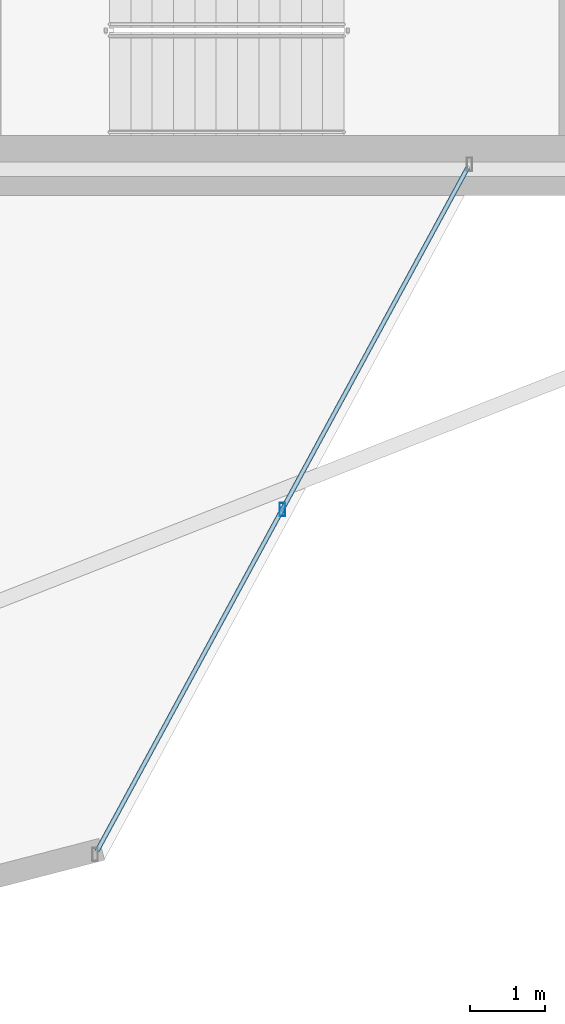
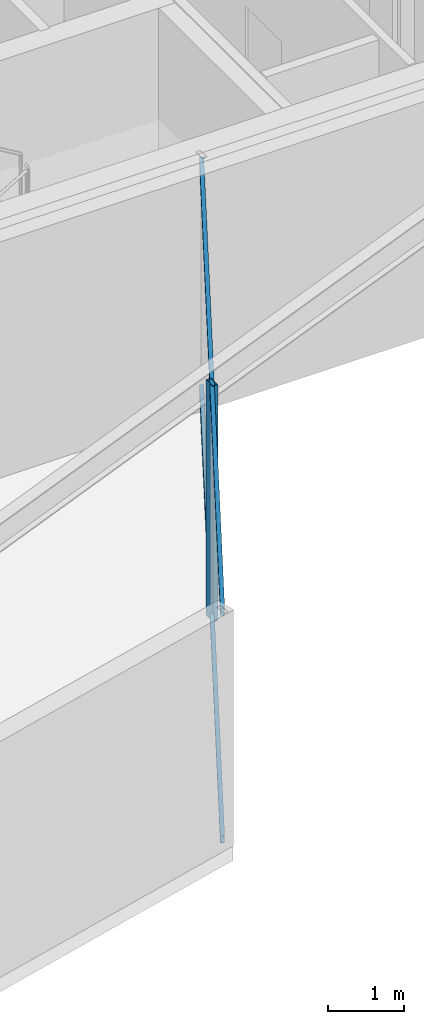
# One storey, part 13 of 26: 3 members, 1 element without a shape of its own.
"""IFC4 building model written with IfcOpenShell, lengths in metres."""

from ifc_helpers import new_model, si_unit, direction, frame, origin, origin_2d, place, context, subcontext, project, spatial, hollow_rectangle, extrude, material, layer, layer_set, material_profile, profile_set, type_object, element, aggregate, save


model = new_model("IFC4")

# Units and contexts
model_context = context("Model", 3, precision=1e-05, world=origin(), true_north=direction((0.0, 1.0)))
body_context = subcontext(model_context, "Body", "Model", "MODEL_VIEW")
ifc_project = project(units=[si_unit("LENGTHUNIT", "METRE"), si_unit("AREAUNIT", "SQUARE_METRE"), si_unit("VOLUMEUNIT", "CUBIC_METRE"), si_unit("PLANEANGLEUNIT", "RADIAN"), si_unit("MASSUNIT", "GRAM", prefix="KILO")], contexts=[model_context])

# Site, building, storey
site_placement = place(None, origin())
site = spatial("IfcSite", under=ifc_project, at=site_placement, CompositionType="ELEMENT")
building_placement = place(site_placement, origin())
building = spatial("IfcBuilding", under=site, at=building_placement, Name="Veymaron Broadcast Tower", CompositionType="ELEMENT")
storey_placement = place(building_placement, frame((0.0, 0.0, 157.35009765625)))
storey = spatial("IfcBuildingStorey", under=building, at=storey_placement, Name="L36", CompositionType="ELEMENT", Elevation=157.35009765625)

# Curtain wall, members
ifc_material_1 = material(Name="Anodised aluminium AA 6063-T6 and laminated low-E dark glass", Category="aluminium")
ifc_layer = layer(ifc_material_1, 0.179931640625)
ifc_layer_set = layer_set([ifc_layer], Name="Anodised aluminium AA 6063-T6 and laminated low-E dark glass")
curtain_wall_type = type_object("IfcCurtainWallType", Name="CW-SYS-03", PredefinedType="NOTDEFINED", material=ifc_layer_set)
curtain_wall_placement = place(storey_placement, origin())
curtain_wall = element("IfcCurtainWall", 1, at=curtain_wall_placement, inside=storey, type_object=curtain_wall_type, Name="L36 dark-glass curtain wall CW-L36-E20-1", PredefinedType="NOTDEFINED")
ifc_material_2 = material(Name="Anodised aluminium AA 6063-T6", Category="aluminium")
ifc_material_profile_1 = material_profile(ifc_material_2, hollow_rectangle(XDim=0.074951171875, YDim=0.179931640625, WallThickness=0.0048828125, at=origin_2d()), Name="AL180X75X5")
ifc_profile_set_1 = profile_set([ifc_material_profile_1], Name="Anodised aluminium AA 6063-T6")
member_type_1 = type_object("IfcMemberType", Name="CW-MUL-02", PredefinedType="MULLION", material=ifc_profile_set_1)
member_1_placement = place(storey_placement, frame((43.740234375, 11.453125, 0.0), z_axis=(0.0, 0.0, 1.0), x_axis=(1.0, 0.0, 0.0)))
member_1 = element("IfcMember", 2, at=member_1_placement, type_object=member_type_1, Name="CW-L36-E20-1 mullion 1", PredefinedType="MULLION", context=body_context, shape_type="SweptSolid", body=[
    extrude(hollow_rectangle(XDim=0.074951171875, YDim=0.179931640625, WallThickness=0.0048828125, at=origin_2d()), origin(), (0.0, 0.0, 1.0), 3.809814453125),
])
ifc_material_profile_2 = material_profile(ifc_material_2, hollow_rectangle(XDim=0.06005859375, YDim=0.1201171875, WallThickness=0.00390625, at=origin_2d()), Name="AL120X60X4")
ifc_profile_set_2 = profile_set([ifc_material_profile_2], Name="Anodised aluminium AA 6063-T6")
member_type_2 = type_object("IfcMemberType", Name="CW-TRN-02", PredefinedType="USERDEFINED", material=ifc_profile_set_2)
member_2_placement = place(storey_placement, frame((41.26123046875, 6.883544921875, 0.06982421875), z_axis=(0.47682238993, 0.878999663516, 0.0), x_axis=(-0.878999663516, 0.47682238993, 0.0)))
member_2 = element("IfcMember", 3, at=member_2_placement, type_object=member_type_2, Name="CW-L36-E20-1 transom B", ObjectType="TRANSOM", PredefinedType="USERDEFINED", context=body_context, shape_type="SweptSolid", body=[
    extrude(hollow_rectangle(XDim=0.06005859375, YDim=0.1201171875, WallThickness=0.00390625, at=origin_2d()), origin(), (0.0, 0.0, 1.0), 10.3974609375),
])
member_3_placement = place(storey_placement, frame((41.26123046875, 6.883544921875, 3.739990234375), z_axis=(0.47682238993, 0.878999663516, 0.0), x_axis=(-0.878999663516, 0.47682238993, 0.0)))
member_3 = element("IfcMember", 4, at=member_3_placement, type_object=member_type_2, Name="CW-L36-E20-1 transom T", ObjectType="TRANSOM", PredefinedType="USERDEFINED", context=body_context, shape_type="SweptSolid", body=[
    extrude(hollow_rectangle(XDim=0.06005859375, YDim=0.1201171875, WallThickness=0.00390625, at=origin_2d()), origin(), (0.0, 0.0, 1.0), 10.3974609375),
])
aggregate(curtain_wall, [member_1, member_2, member_3])

save(model, "model.ifc")
